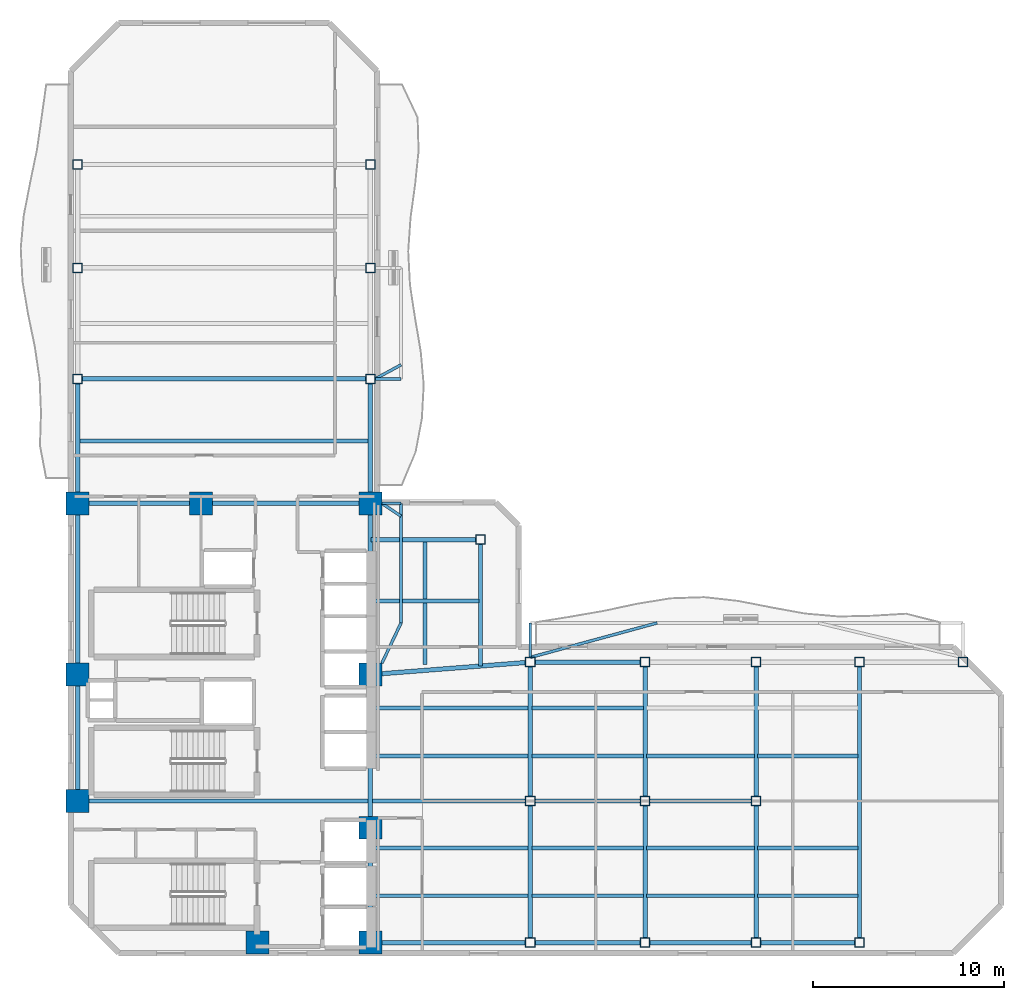
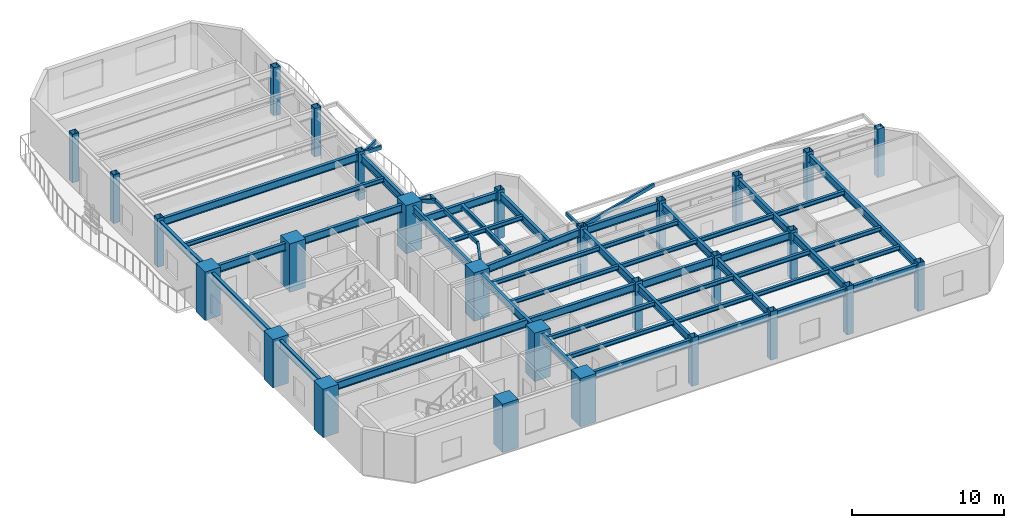
# One storey, part 1 of 9: 53 beams, 28 columns.
"""IFC4 building model written with IfcOpenShell, lengths in metres."""

import ifcopenshell
import ifcopenshell.guid

model = None  # the IFC model being written
_history = None  # IfcOwnerHistory: only IFC2X3 demands one
_inside = {}  # id of a spatial element -> (the spatial element, [elements in it])
_under = {}  # id of a project, library or spatial element -> (it, [spatial elements below it])
_declared = {}  # id of a project -> (the project, [libraries it declares])
_typed = {}  # id of a type object -> (the type object, [elements of that type])
_made_of = {}  # id of a material, layer set ... -> (it, [elements and type objects made of it])


def new_model(schema):
    """Start an empty IFC model of exactly this schema.

    Asked for "IFC4X3", IfcOpenShell would pick the latest addendum, in which some entities
    have other attributes; the version numbers below select the first issue.
    IFC2X3 requires an IfcOwnerHistory on every rooted entity: one is made here for all.
    """
    global model, _history
    if schema == "IFC4X3":
        model = ifcopenshell.file(schema_version=(4, 3, 0, 0))
    else:
        model = ifcopenshell.file(schema=schema)
    _inside.clear()
    _under.clear()
    _declared.clear()
    _typed.clear()
    _made_of.clear()
    _history = None
    if model.schema == "IFC2X3":
        org = make("IfcOrganization", Name="unknown")
        user = make(
            "IfcPersonAndOrganization",
            ThePerson=make("IfcPerson", FamilyName="unknown"),
            TheOrganization=org,
        )
        app = make(
            "IfcApplication",
            ApplicationDeveloper=org,
            Version="unknown",
            ApplicationFullName="unknown",
            ApplicationIdentifier="unknown",
        )
        _history = make(
            "IfcOwnerHistory",
            OwningUser=user,
            OwningApplication=app,
            ChangeAction="ADDED",
            CreationDate=0,
        )
    return model


def make(cls, **values):
    """One entity of the class cls with the attributes given. An attribute that is None is left unset."""
    return model.create_entity(
        cls, **{name: value for name, value in values.items() if value is not None}
    )


def rooted(cls, **values):
    """An entity with a GlobalId (a new one), such as an element, a storey or a relation."""
    return make(cls, GlobalId=ifcopenshell.guid.new(), OwnerHistory=_history, **values)


def si_unit(unit_type, name, prefix=None):
    """IfcSIUnit, for example si_unit("LENGTHUNIT", "METRE", prefix="MILLI")."""
    return make("IfcSIUnit", UnitType=unit_type, Prefix=prefix, Name=name)


def assignment(units):
    """IfcUnitAssignment: the units of a project."""
    return None if units is None else make("IfcUnitAssignment", Units=units)


def point(xyz):
    """IfcCartesianPoint."""
    return None if xyz is None else make("IfcCartesianPoint", Coordinates=xyz)


def direction(xyz):
    """IfcDirection."""
    return None if xyz is None else make("IfcDirection", DirectionRatios=xyz)


def frame(location, z_axis=None, x_axis=None):
    """IfcAxis2Placement3D, a coordinate frame: its origin and axes. An axis left out is left unset."""
    return make(
        "IfcAxis2Placement3D",
        Location=point(location),
        Axis=direction(z_axis),
        RefDirection=direction(x_axis),
    )


def frame_2d(location, x_axis=None):
    """IfcAxis2Placement2D, a coordinate frame in the plane: its origin and x axis."""
    return make(
        "IfcAxis2Placement2D", Location=point(location), RefDirection=direction(x_axis)
    )


def origin():
    """The frame at (0, 0, 0) with its axes left unset."""
    return frame((0.0, 0.0, 0.0))


def origin_2d():
    """The frame at (0, 0) in the plane with its x axis left unset."""
    return frame_2d((0.0, 0.0))


def place(relative_to, where):
    """IfcLocalPlacement: puts the frame where relative to a parent placement (None: the world)."""
    return make(
        "IfcLocalPlacement", PlacementRelTo=relative_to, RelativePlacement=where
    )


def context(
    kind, dimensions, precision=None, world=None, true_north=None, identifier=None
):
    """IfcGeometricRepresentationContext, for example the 3D "Model" context."""
    return make(
        "IfcGeometricRepresentationContext",
        ContextIdentifier=identifier,
        ContextType=kind,
        CoordinateSpaceDimension=dimensions,
        Precision=precision,
        WorldCoordinateSystem=world,
        TrueNorth=true_north,
    )


def subcontext(parent, identifier, kind, view, scale=None):
    """IfcGeometricRepresentationSubContext, for example "Body" below "Model"."""
    return make(
        "IfcGeometricRepresentationSubContext",
        ContextIdentifier=identifier,
        ContextType=kind,
        ParentContext=parent,
        TargetScale=scale,
        TargetView=view,
    )


def project(units=None, contexts=None):
    """IfcProject with its units and contexts."""
    return rooted(
        "IfcProject",
        Name="project",
        RepresentationContexts=contexts,
        UnitsInContext=assignment(units),
    )


def spatial(cls, under=None, at=None, **own):
    """A site, building, storey or space (cls), placed at a placement, below another one or the project."""
    s = rooted(cls, ObjectPlacement=at, **own)
    if under is not None:
        _under.setdefault(under.id(), (under, []))[1].append(s)
    return s


def profile(cls, at=None, kind="AREA", **sizes):
    """A parametric profile (cls). Its sizes go by their IFC names, for example OverallWidth=200.0."""
    return make(cls, ProfileType=kind, Position=at, **sizes)


def rectangle(**sizes):
    """IfcRectangleProfileDef."""
    return profile("IfcRectangleProfileDef", **sizes)


def hollow_rectangle(**sizes):
    """IfcRectangleHollowProfileDef."""
    return profile("IfcRectangleHollowProfileDef", **sizes)


def i_section(**sizes):
    """IfcIShapeProfileDef."""
    return profile("IfcIShapeProfileDef", **sizes)


def extrude(swept, where, along, depth):
    """IfcExtrudedAreaSolid: the profile swept, set in the frame where, extruded along a direction by depth."""
    return make(
        "IfcExtrudedAreaSolid",
        SweptArea=swept,
        Position=where,
        ExtrudedDirection=direction(along),
        Depth=depth,
    )


def shape(context_of_items, identifier, shape_type, items):
    """IfcShapeRepresentation: the items that make up one representation, for example the "Body"."""
    return make(
        "IfcShapeRepresentation",
        ContextOfItems=context_of_items,
        RepresentationIdentifier=identifier,
        RepresentationType=shape_type,
        Items=items,
    )


def material(Name=None, Category=None):
    """IfcMaterial."""
    return make("IfcMaterial", Name=Name, Category=Category)


def material_profile(
    of_material, cross_section, Name=None, Category=None, Priority=None
):
    """IfcMaterialProfile: a cross section and its material."""
    return make(
        "IfcMaterialProfile",
        Name=Name,
        Material=of_material,
        Profile=cross_section,
        Priority=Priority,
        Category=Category,
    )


def profile_set(profiles, Name=None, composite=None):
    """IfcMaterialProfileSet."""
    return make(
        "IfcMaterialProfileSet",
        Name=Name,
        MaterialProfiles=profiles,
        CompositeProfile=composite,
    )


def made_of(thing, what):
    """Note that an element or type object is made of a material, layer set ...; save() writes the relation."""
    if what is not None:
        _made_of.setdefault(what.id(), (what, []))[1].append(thing)
    return thing


def type_object(cls, material=None, **own):
    """A type object (cls), such as IfcWallType, which elements share."""
    return made_of(rooted(cls, **own), material)


def element(
    cls,
    number,
    at=None,
    inside=None,
    cuts=None,
    type_object=None,
    material=None,
    context=None,
    identifier="Body",
    shape_type=None,
    held_by="IfcProductDefinitionShape",
    body=None,
    shapes=None,
    **own,
):
    """One element of the class cls, such as IfcWall. Its Tag is "e" and its number.

    at: its placement. inside: the storey or other place that contains it. cuts: it is an
    opening in that element (IfcRelVoidsElement). A single representation is given by context,
    identifier, shape_type and body (its items); several are given by shapes. held_by: the class
    of the entity that holds the representations. save() writes the other relations.
    """
    e = rooted(cls, Tag="e%d" % number, ObjectPlacement=at, **own)
    if body is not None:
        shapes = [shape(context, identifier, shape_type, body)]
    if shapes is not None:
        e.Representation = make(held_by, Representations=shapes)
    if inside is not None:
        _inside.setdefault(inside.id(), (inside, []))[1].append(e)
    if cuts is not None:
        rooted(
            "IfcRelVoidsElement", RelatingBuildingElement=cuts, RelatedOpeningElement=e
        )
    if type_object is not None:
        _typed.setdefault(type_object.id(), (type_object, []))[1].append(e)
    return made_of(e, material)


def aggregate(whole, parts):
    """IfcRelAggregates: a whole, such as a stair, and the parts it consists of."""
    return rooted("IfcRelAggregates", RelatingObject=whole, RelatedObjects=parts)


def save(model, path):
    """Write the relations noted so far, then the file.

    IfcRelAggregates (storeys below a building ...), IfcRelContainedInSpatialStructure (elements
    in a storey), IfcRelDefinesByType, IfcRelAssociatesMaterial and IfcRelDeclares: one each for
    every whole, place, type object, material and project.
    """
    for whole, parts in _under.values():
        aggregate(whole, parts)
    for where, things in _inside.values():
        rooted(
            "IfcRelContainedInSpatialStructure",
            RelatedElements=things,
            RelatingStructure=where,
        )
    for kind, things in _typed.values():
        rooted("IfcRelDefinesByType", RelatedObjects=things, RelatingType=kind)
    for what, things in _made_of.values():
        rooted("IfcRelAssociatesMaterial", RelatedObjects=things, RelatingMaterial=what)
    for by, libraries in _declared.values():
        rooted("IfcRelDeclares", RelatingContext=by, RelatedDefinitions=libraries)
    model.write(path)


model = new_model("IFC4")

# Units and contexts
model_context = context("Model", 3, precision=1e-05, world=origin(), true_north=direction((0.0, 1.0)))
body_context = subcontext(model_context, "Body", "Model", "MODEL_VIEW")
ifc_project = project(units=[si_unit("LENGTHUNIT", "METRE"), si_unit("AREAUNIT", "SQUARE_METRE"), si_unit("VOLUMEUNIT", "CUBIC_METRE"), si_unit("PLANEANGLEUNIT", "RADIAN"), si_unit("MASSUNIT", "GRAM", prefix="KILO")], contexts=[model_context])

# Site, building, storey
site_placement = place(None, origin())
site = spatial("IfcSite", under=ifc_project, at=site_placement, CompositionType="ELEMENT")
building_placement = place(site_placement, origin())
building = spatial("IfcBuilding", under=site, at=building_placement, Name="Mawjaban Terraces University", CompositionType="ELEMENT")
storey_placement = place(building_placement, frame((0.0, 0.0, 154.10009765625)))
storey = spatial("IfcBuildingStorey", under=building, at=storey_placement, Name="L37", CompositionType="ELEMENT", Elevation=154.10009765625)

# Columns
ifc_material_1 = material(Name="Concrete C60/75", Category="concrete")
ifc_material_profile_1 = material_profile(ifc_material_1, rectangle(XDim=1.199951171875, YDim=1.199951171875, at=origin_2d()), Name="RC1200X1200")
ifc_profile_set_1 = profile_set([ifc_material_profile_1], Name="Concrete C60/75")
column_type_1 = type_object("IfcColumnType", Name="Col_RC1200X1200", PredefinedType="COLUMN", material=ifc_profile_set_1)
for number, where, z_axis, x_axis, name in (
    (1, (31.75, 0.550048828125, 0.0), (0.0, 0.0, 1.0), (1.0, 0.0, 0.0), "L37 Column CC2"),
    (2, (37.64990234375, 0.550048828125, 0.0), (0.0, 0.0, 1.0), (1.0, 0.0, 0.0), "L37 Column CC3"),
    (3, (22.35009765625, 7.949951171875, 0.0), (0.0, 0.0, 1.0), (1.0, 0.0, 0.0), "L37 Column CC4"),
    (4, (37.64990234375, 6.550048828125, 0.0), (0.0, 0.0, 1.0), (1.0, 0.0, 0.0), "L37 Column CC5"),
    (5, (22.35009765625, 14.550048828125, 0.0), (0.0, 0.0, 1.0), (1.0, 0.0, 0.0), "L37 Column CC6"),
    (6, (37.64990234375, 14.550048828125, 0.0), (0.0, 0.0, 1.0), (1.0, 0.0, 0.0), "L37 Column CC7"),
    (7, (22.35009765625, 23.5, 0.0), (0.0, 0.0, 1.0), (1.0, 0.0, 0.0), "L37 Column CC8"),
    (8, (28.800048828125, 23.5, 0.0), (0.0, 0.0, 1.0), (1.0, 0.0, 0.0), "L37 Column CC9"),
    (9, (37.64990234375, 23.5, 0.0), (0.0, 0.0, 1.0), (1.0, 0.0, 0.0), "L37 Column CC10"),
):
    element("IfcColumn", number, at=place(storey_placement, frame(where, z_axis=z_axis, x_axis=x_axis)), inside=storey, type_object=column_type_1, Name=name, PredefinedType="COLUMN", context=body_context, shape_type="SweptSolid", body=[
        extrude(rectangle(XDim=1.199951171875, YDim=1.199951171875, at=origin_2d()), origin(), (0.0, 0.0, 1.0), 3.89990234375),
    ])
ifc_material_2 = material(Name="Steel EN 10210-1 S355J2H", Category="steel")
ifc_material_profile_2 = material_profile(ifc_material_2, hollow_rectangle(XDim=0.5, YDim=0.5, WallThickness=0.02490234375, at=origin_2d()), Name="SHS500X500X25")
ifc_profile_set_2 = profile_set([ifc_material_profile_2], Name="Steel EN 10210-1 S355J2H")
column_type_2 = type_object("IfcColumnType", Name="Col_SHS500X500X25", PredefinedType="COLUMN", material=ifc_profile_set_2)
for number, where, z_axis, x_axis, name in (
    (10, (46.0, 0.550048828125, 0.0), (0.0, 0.0, 1.0), (1.0, 0.0, 0.0), "L37 Column TE-460-005"),
    (11, (46.0, 7.949951171875, 0.0), (0.0, 0.0, 1.0), (1.0, 0.0, 0.0), "L37 Column TE-460-080"),
    (12, (46.0, 15.199951171875, 0.0), (0.0, 0.0, 1.0), (1.0, 0.0, 0.0), "L37 Column TE-460-152"),
    (13, (52.0, 0.550048828125, 0.0), (0.0, 0.0, 1.0), (1.0, 0.0, 0.0), "L37 Column TE-520-005"),
    (14, (52.0, 7.949951171875, 0.0), (0.0, 0.0, 1.0), (1.0, 0.0, 0.0), "L37 Column TE-520-080"),
    (15, (52.0, 15.199951171875, 0.0), (0.0, 0.0, 1.0), (1.0, 0.0, 0.0), "L37 Column TE-520-152"),
    (16, (57.800048828125, 0.550048828125, 0.0), (0.0, 0.0, 1.0), (1.0, 0.0, 0.0), "L37 Column TE-578-005"),
    (17, (57.800048828125, 7.949951171875, 0.0), (0.0, 0.0, 1.0), (1.0, 0.0, 0.0), "L37 Column TE-578-080"),
    (18, (57.800048828125, 15.199951171875, 0.0), (0.0, 0.0, 1.0), (1.0, 0.0, 0.0), "L37 Column TE-578-152"),
    (19, (63.199951171875, 0.550048828125, 0.0), (0.0, 0.0, 1.0), (1.0, 0.0, 0.0), "L37 Column TE-632-005"),
    (20, (63.199951171875, 15.199951171875, 0.0), (0.0, 0.0, 1.0), (1.0, 0.0, 0.0), "L37 Column TE-632-152"),
    (21, (68.60009765625, 15.199951171875, 0.0), (0.0, 0.0, 1.0), (1.0, 0.0, 0.0), "L37 Column TE-686-152"),
    (22, (22.35009765625, 30.0, 0.0), (0.0, 0.0, 1.0), (1.0, 0.0, 0.0), "L37 Column TN-223-300"),
    (23, (37.64990234375, 30.0, 0.0), (0.0, 0.0, 1.0), (1.0, 0.0, 0.0), "L37 Column TN-376-300"),
    (24, (22.35009765625, 35.800048828125, 0.0), (0.0, 0.0, 1.0), (1.0, 0.0, 0.0), "L37 Column TN-223-358"),
    (25, (37.64990234375, 35.800048828125, 0.0), (0.0, 0.0, 1.0), (1.0, 0.0, 0.0), "L37 Column TN-376-358"),
    (26, (22.35009765625, 41.199951171875, 0.0), (0.0, 0.0, 1.0), (1.0, 0.0, 0.0), "L37 Column TN-223-412"),
    (27, (37.64990234375, 41.199951171875, 0.0), (0.0, 0.0, 1.0), (1.0, 0.0, 0.0), "L37 Column TN-376-412"),
    (28, (43.39990234375, 21.60009765625, 0.0), (0.0, 0.0, 1.0), (1.0, 0.0, 0.0), "L37 Column TS-434-216"),
):
    element("IfcColumn", number, at=place(storey_placement, frame(where, z_axis=z_axis, x_axis=x_axis)), inside=storey, type_object=column_type_2, Name=name, PredefinedType="COLUMN", context=body_context, shape_type="SweptSolid", body=[
        extrude(hollow_rectangle(XDim=0.5, YDim=0.5, WallThickness=0.02490234375, at=origin_2d()), origin(), (0.0, 0.0, 1.0), 3.89990234375),
    ])

# Beams
ifc_material_profile_3 = material_profile(ifc_material_2, hollow_rectangle(XDim=0.14990234375, YDim=0.300048828125, WallThickness=0.012451171875, at=origin_2d()), Name="RHS300X150X12.5")
ifc_profile_set_3 = profile_set([ifc_material_profile_3], Name="Steel EN 10210-1 S355J2H")
beam_type_1 = type_object("IfcBeamType", Name="BalconyCantileverSpandrel_RHS", PredefinedType="SPANDREL", material=ifc_profile_set_3)
beam_1_placement = place(storey_placement, frame((46.0, 15.449951171875, 3.539794921875), z_axis=(0.0, 1.0, 0.0), x_axis=(-1.0, 0.0, 0.0)))
element("IfcBeam", 29, at=beam_1_placement, inside=storey, type_object=beam_type_1, Name="L37 Exterior Outrigger BAL-L38-N.1", PredefinedType="SPANDREL", context=body_context, shape_type="SweptSolid", body=[
    extrude(hollow_rectangle(XDim=0.14990234375, YDim=0.300048828125, WallThickness=0.012451171875, at=origin_2d()), origin(), (0.0, 0.0, 1.0), 1.800048828125),
])
beam_2_placement = place(storey_placement, frame((46.0, 15.449951171875, 3.539794921875), z_axis=(0.965023464681, 0.262163522664, 0.0), x_axis=(-0.262163522664, 0.965023464681, 0.0)))
element("IfcBeam", 30, at=beam_2_placement, inside=storey, type_object=beam_type_1, Name="L37 Exterior Diagonal Strut BAL-L38-N.1", PredefinedType="SPANDREL", context=body_context, shape_type="SweptSolid", body=[
    extrude(hollow_rectangle(XDim=0.14990234375, YDim=0.300048828125, WallThickness=0.012451171875, at=origin_2d()), origin(), (0.0, 0.0, 1.0), 6.8662109375),
])
beam_3_placement = place(storey_placement, frame((37.89990234375, 30.0, 3.539794921875), z_axis=(1.0, 0.0, 0.0), x_axis=(0.0, 1.0, 0.0)))
element("IfcBeam", 31, at=beam_3_placement, inside=storey, type_object=beam_type_1, Name="L37 Exterior Outrigger BAL-L38-E.1", PredefinedType="SPANDREL", context=body_context, shape_type="SweptSolid", body=[
    extrude(hollow_rectangle(XDim=0.14990234375, YDim=0.300048828125, WallThickness=0.012451171875, at=origin_2d()), origin(), (0.0, 0.0, 1.0), 1.35009765625),
])
beam_4_placement = place(storey_placement, frame((37.89990234375, 30.0, 3.539794921875), z_axis=(0.878253422499, 0.478195489176, 0.0), x_axis=(-0.478195489176, 0.878253422499, 0.0)))
element("IfcBeam", 32, at=beam_4_placement, inside=storey, type_object=beam_type_1, Name="L37 Exterior Diagonal Strut BAL-L38-E.1", PredefinedType="SPANDREL", context=body_context, shape_type="SweptSolid", body=[
    extrude(hollow_rectangle(XDim=0.14990234375, YDim=0.300048828125, WallThickness=0.012451171875, at=origin_2d()), origin(), (0.0, 0.0, 1.0), 1.537353515625),
])
beam_5_placement = place(storey_placement, frame((38.25, 15.14990234375, 3.539794921875), z_axis=(0.429917283348, 0.902868279141, 0.0), x_axis=(-0.902868279141, 0.429917283348, 0.0)))
element("IfcBeam", 33, at=beam_5_placement, inside=storey, type_object=beam_type_1, Name="L37 Corner Outrigger TER-L38-CLIMB", PredefinedType="SPANDREL", context=body_context, shape_type="SweptSolid", body=[
    extrude(hollow_rectangle(XDim=0.14990234375, YDim=0.300048828125, WallThickness=0.012451171875, at=origin_2d()), origin(), (0.0, 0.0, 1.0), 2.325927734375),
])
beam_6_placement = place(storey_placement, frame((38.25, 23.5, 3.539794921875), z_axis=(1.0, 0.0, 0.0), x_axis=(0.0, 1.0, 0.0)))
element("IfcBeam", 34, at=beam_6_placement, inside=storey, type_object=beam_type_1, Name="L37 Exterior Outrigger TER-L38-CLIMB.2", PredefinedType="SPANDREL", context=body_context, shape_type="SweptSolid", body=[
    extrude(hollow_rectangle(XDim=0.14990234375, YDim=0.300048828125, WallThickness=0.012451171875, at=origin_2d()), origin(), (0.0, 0.0, 1.0), 1.0),
])
beam_7_placement = place(storey_placement, frame((39.25, 17.25, 3.539794921875), z_axis=(0.0, 1.0, 0.0), x_axis=(-1.0, 0.0, 0.0)))
element("IfcBeam", 35, at=beam_7_placement, inside=storey, type_object=beam_type_1, Name="L37 Exterior Edge Spandrel TER-L38-CLIMB", PredefinedType="SPANDREL", context=body_context, shape_type="SweptSolid", body=[
    extrude(hollow_rectangle(XDim=0.14990234375, YDim=0.300048828125, WallThickness=0.012451171875, at=origin_2d()), origin(), (0.0, 0.0, 1.0), 6.25),
])
beam_8_placement = place(storey_placement, frame((38.25, 23.5, 3.539794921875), z_axis=(0.828829906831, -0.559500657321, 0.0), x_axis=(0.559500657321, 0.828829906831, 0.0)))
element("IfcBeam", 36, at=beam_8_placement, inside=storey, type_object=beam_type_1, Name="L37 Exterior Diagonal Strut TER-L38-CLIMB.1", PredefinedType="SPANDREL", context=body_context, shape_type="SweptSolid", body=[
    extrude(hollow_rectangle(XDim=0.14990234375, YDim=0.300048828125, WallThickness=0.012451171875, at=origin_2d()), origin(), (0.0, 0.0, 1.0), 1.20654296875),
])
ifc_material_3 = material(Name="Steel ASTM A572 Grade 50", Category="steel")
ifc_material_profile_4 = material_profile(ifc_material_3, i_section(OverallWidth=0.22998046875, OverallDepth=0.616943359375, WebThickness=0.01318359375, FlangeThickness=0.022216796875, at=origin_2d()), Name="W610X140")
ifc_profile_set_4 = profile_set([ifc_material_profile_4], Name="Steel ASTM A572 Grade 50")
beam_type_2 = type_object("IfcBeamType", Name="Beam_B_W610X140", PredefinedType="BEAM", material=ifc_profile_set_4)
beam_9_placement = place(storey_placement, frame((38.25, 0.550048828125, 3.380859375), z_axis=(1.0, 0.0, 0.0), x_axis=(0.0, 1.0, 0.0)))
element("IfcBeam", 37, at=beam_9_placement, inside=storey, type_object=beam_type_2, Name="L37 Beam BM-L37-EW-01", PredefinedType="BEAM", context=body_context, shape_type="SweptSolid", body=[
    extrude(i_section(OverallWidth=0.22998046875, OverallDepth=0.616943359375, WebThickness=0.01318359375, FlangeThickness=0.022216796875, at=origin_2d()), origin(), (0.0, 0.0, 1.0), 7.5),
])
beam_10_placement = place(storey_placement, frame((46.25, 0.550048828125, 3.380859375), z_axis=(1.0, 0.0, 0.0), x_axis=(0.0, 1.0, 0.0)))
element("IfcBeam", 38, at=beam_10_placement, inside=storey, type_object=beam_type_2, Name="L37 Beam BM-L37-EW-02", PredefinedType="BEAM", context=body_context, shape_type="SweptSolid", body=[
    extrude(i_section(OverallWidth=0.22998046875, OverallDepth=0.616943359375, WebThickness=0.01318359375, FlangeThickness=0.022216796875, at=origin_2d()), origin(), (0.0, 0.0, 1.0), 5.5),
])
beam_11_placement = place(storey_placement, frame((52.25, 0.550048828125, 3.380859375), z_axis=(1.0, 0.0, 0.0), x_axis=(0.0, 1.0, 0.0)))
element("IfcBeam", 39, at=beam_11_placement, inside=storey, type_object=beam_type_2, Name="L37 Beam BM-L37-EW-03", PredefinedType="BEAM", context=body_context, shape_type="SweptSolid", body=[
    extrude(i_section(OverallWidth=0.22998046875, OverallDepth=0.616943359375, WebThickness=0.01318359375, FlangeThickness=0.022216796875, at=origin_2d()), origin(), (0.0, 0.0, 1.0), 5.300048828125),
])
beam_12_placement = place(storey_placement, frame((58.050048828125, 0.550048828125, 3.380859375), z_axis=(1.0, 0.0, 0.0), x_axis=(0.0, 1.0, 0.0)))
element("IfcBeam", 40, at=beam_12_placement, inside=storey, type_object=beam_type_2, Name="L37 Beam BM-L37-EW-04", PredefinedType="BEAM", context=body_context, shape_type="SweptSolid", body=[
    extrude(i_section(OverallWidth=0.22998046875, OverallDepth=0.616943359375, WebThickness=0.01318359375, FlangeThickness=0.022216796875, at=origin_2d()), origin(), (0.0, 0.0, 1.0), 4.89990234375),
])
beam_13_placement = place(storey_placement, frame((22.949951171875, 7.949951171875, 3.380859375), z_axis=(1.0, 0.0, 0.0), x_axis=(0.0, 1.0, 0.0)))
element("IfcBeam", 41, at=beam_13_placement, inside=storey, type_object=beam_type_2, Name="L37 Beam BM-L37-EW-05", PredefinedType="BEAM", context=body_context, shape_type="SweptSolid", body=[
    extrude(i_section(OverallWidth=0.22998046875, OverallDepth=0.616943359375, WebThickness=0.01318359375, FlangeThickness=0.022216796875, at=origin_2d()), origin(), (0.0, 0.0, 1.0), 22.800048828125),
])
beam_14_placement = place(storey_placement, frame((46.25, 7.949951171875, 3.380859375), z_axis=(1.0, 0.0, 0.0), x_axis=(0.0, 1.0, 0.0)))
element("IfcBeam", 42, at=beam_14_placement, inside=storey, type_object=beam_type_2, Name="L37 Beam BM-L37-EW-06", PredefinedType="BEAM", context=body_context, shape_type="SweptSolid", body=[
    extrude(i_section(OverallWidth=0.22998046875, OverallDepth=0.616943359375, WebThickness=0.01318359375, FlangeThickness=0.022216796875, at=origin_2d()), origin(), (0.0, 0.0, 1.0), 5.5),
])
beam_15_placement = place(storey_placement, frame((52.25, 7.949951171875, 3.380859375), z_axis=(1.0, 0.0, 0.0), x_axis=(0.0, 1.0, 0.0)))
element("IfcBeam", 43, at=beam_15_placement, inside=storey, type_object=beam_type_2, Name="L37 Beam BM-L37-EW-07", PredefinedType="BEAM", context=body_context, shape_type="SweptSolid", body=[
    extrude(i_section(OverallWidth=0.22998046875, OverallDepth=0.616943359375, WebThickness=0.01318359375, FlangeThickness=0.022216796875, at=origin_2d()), origin(), (0.0, 0.0, 1.0), 5.300048828125),
])
beam_16_placement = place(storey_placement, frame((46.25, 15.199951171875, 3.380859375), z_axis=(1.0, 0.0, 0.0), x_axis=(0.0, 1.0, 0.0)))
element("IfcBeam", 44, at=beam_16_placement, inside=storey, type_object=beam_type_2, Name="L37 Beam BM-L37-EW-08", PredefinedType="BEAM", context=body_context, shape_type="SweptSolid", body=[
    extrude(i_section(OverallWidth=0.22998046875, OverallDepth=0.616943359375, WebThickness=0.01318359375, FlangeThickness=0.022216796875, at=origin_2d()), origin(), (0.0, 0.0, 1.0), 5.5),
])
beam_17_placement = place(storey_placement, frame((22.949951171875, 23.5, 3.380859375), z_axis=(1.0, 0.0, 0.0), x_axis=(0.0, 1.0, 0.0)))
element("IfcBeam", 45, at=beam_17_placement, inside=storey, type_object=beam_type_2, Name="L37 Beam BM-L37-EW-12", PredefinedType="BEAM", context=body_context, shape_type="SweptSolid", body=[
    extrude(i_section(OverallWidth=0.22998046875, OverallDepth=0.616943359375, WebThickness=0.01318359375, FlangeThickness=0.022216796875, at=origin_2d()), origin(), (0.0, 0.0, 1.0), 5.25),
])
beam_18_placement = place(storey_placement, frame((29.39990234375, 23.5, 3.380859375), z_axis=(1.0, 0.0, 0.0), x_axis=(0.0, 1.0, 0.0)))
element("IfcBeam", 46, at=beam_18_placement, inside=storey, type_object=beam_type_2, Name="L37 Beam BM-L37-EW-13", PredefinedType="BEAM", context=body_context, shape_type="SweptSolid", body=[
    extrude(i_section(OverallWidth=0.22998046875, OverallDepth=0.616943359375, WebThickness=0.01318359375, FlangeThickness=0.022216796875, at=origin_2d()), origin(), (0.0, 0.0, 1.0), 7.650146484375),
])
beam_19_placement = place(storey_placement, frame((22.60009765625, 30.0, 3.380859375), z_axis=(1.0, 0.0, 0.0), x_axis=(0.0, 1.0, 0.0)))
element("IfcBeam", 47, at=beam_19_placement, inside=storey, type_object=beam_type_2, Name="L37 Beam BM-L37-EW-14", PredefinedType="BEAM", context=body_context, shape_type="SweptSolid", body=[
    extrude(i_section(OverallWidth=0.22998046875, OverallDepth=0.616943359375, WebThickness=0.01318359375, FlangeThickness=0.022216796875, at=origin_2d()), origin(), (0.0, 0.0, 1.0), 14.7998046875),
])
beam_20_placement = place(storey_placement, frame((22.35009765625, 8.550048828125, 3.380859375), z_axis=(0.0, 1.0, 0.0), x_axis=(-1.0, 0.0, 0.0)))
element("IfcBeam", 48, at=beam_20_placement, inside=storey, type_object=beam_type_2, Name="L37 Beam BM-L37-NS-01", PredefinedType="BEAM", context=body_context, shape_type="SweptSolid", body=[
    extrude(i_section(OverallWidth=0.22998046875, OverallDepth=0.616943359375, WebThickness=0.01318359375, FlangeThickness=0.022216796875, at=origin_2d()), origin(), (0.0, 0.0, 1.0), 5.39990234375),
])
beam_21_placement = place(storey_placement, frame((22.35009765625, 15.14990234375, 3.380859375), z_axis=(0.0, 1.0, 0.0), x_axis=(-1.0, 0.0, 0.0)))
element("IfcBeam", 49, at=beam_21_placement, inside=storey, type_object=beam_type_2, Name="L37 Beam BM-L37-NS-02", PredefinedType="BEAM", context=body_context, shape_type="SweptSolid", body=[
    extrude(i_section(OverallWidth=0.22998046875, OverallDepth=0.616943359375, WebThickness=0.01318359375, FlangeThickness=0.022216796875, at=origin_2d()), origin(), (0.0, 0.0, 1.0), 7.75),
])
beam_22_placement = place(storey_placement, frame((22.35009765625, 24.10009765625, 3.380859375), z_axis=(0.0, 1.0, 0.0), x_axis=(-1.0, 0.0, 0.0)))
element("IfcBeam", 50, at=beam_22_placement, inside=storey, type_object=beam_type_2, Name="L37 Beam BM-L37-NS-03", PredefinedType="BEAM", context=body_context, shape_type="SweptSolid", body=[
    extrude(i_section(OverallWidth=0.22998046875, OverallDepth=0.616943359375, WebThickness=0.01318359375, FlangeThickness=0.022216796875, at=origin_2d()), origin(), (0.0, 0.0, 1.0), 5.64990234375),
])
beam_23_placement = place(storey_placement, frame((37.64990234375, 1.14990234375, 3.380859375), z_axis=(0.0, 1.0, 0.0), x_axis=(-1.0, 0.0, 0.0)))
element("IfcBeam", 51, at=beam_23_placement, inside=storey, type_object=beam_type_2, Name="L37 Beam BM-L37-NS-06", PredefinedType="BEAM", context=body_context, shape_type="SweptSolid", body=[
    extrude(i_section(OverallWidth=0.22998046875, OverallDepth=0.616943359375, WebThickness=0.01318359375, FlangeThickness=0.022216796875, at=origin_2d()), origin(), (0.0, 0.0, 1.0), 4.800048828125),
])
beam_24_placement = place(storey_placement, frame((37.64990234375, 7.14990234375, 3.380859375), z_axis=(0.0, 1.0, 0.0), x_axis=(-1.0, 0.0, 0.0)))
element("IfcBeam", 52, at=beam_24_placement, inside=storey, type_object=beam_type_2, Name="L37 Beam BM-L37-NS-07", PredefinedType="BEAM", context=body_context, shape_type="SweptSolid", body=[
    extrude(i_section(OverallWidth=0.22998046875, OverallDepth=0.616943359375, WebThickness=0.01318359375, FlangeThickness=0.022216796875, at=origin_2d()), origin(), (0.0, 0.0, 1.0), 6.800048828125),
])
beam_25_placement = place(storey_placement, frame((37.64990234375, 15.14990234375, 3.380859375), z_axis=(0.0, 1.0, 0.0), x_axis=(-1.0, 0.0, 0.0)))
element("IfcBeam", 53, at=beam_25_placement, inside=storey, type_object=beam_type_2, Name="L37 Beam BM-L37-NS-08", PredefinedType="BEAM", context=body_context, shape_type="SweptSolid", body=[
    extrude(i_section(OverallWidth=0.22998046875, OverallDepth=0.616943359375, WebThickness=0.01318359375, FlangeThickness=0.022216796875, at=origin_2d()), origin(), (0.0, 0.0, 1.0), 7.75),
])
beam_26_placement = place(storey_placement, frame((37.64990234375, 24.10009765625, 3.380859375), z_axis=(0.0, 1.0, 0.0), x_axis=(-1.0, 0.0, 0.0)))
element("IfcBeam", 54, at=beam_26_placement, inside=storey, type_object=beam_type_2, Name="L37 Beam BM-L37-NS-09", PredefinedType="BEAM", context=body_context, shape_type="SweptSolid", body=[
    extrude(i_section(OverallWidth=0.22998046875, OverallDepth=0.616943359375, WebThickness=0.01318359375, FlangeThickness=0.022216796875, at=origin_2d()), origin(), (0.0, 0.0, 1.0), 5.64990234375),
])
beam_27_placement = place(storey_placement, frame((46.0, 0.800048828125, 3.380859375), z_axis=(0.0, 1.0, 0.0), x_axis=(-1.0, 0.0, 0.0)))
element("IfcBeam", 55, at=beam_27_placement, inside=storey, type_object=beam_type_2, Name="L37 Beam BM-L37-NS-12", PredefinedType="BEAM", context=body_context, shape_type="SweptSolid", body=[
    extrude(i_section(OverallWidth=0.22998046875, OverallDepth=0.616943359375, WebThickness=0.01318359375, FlangeThickness=0.022216796875, at=origin_2d()), origin(), (0.0, 0.0, 1.0), 6.89990234375),
])
beam_28_placement = place(storey_placement, frame((46.0, 8.199951171875, 3.380859375), z_axis=(0.0, 1.0, 0.0), x_axis=(-1.0, 0.0, 0.0)))
element("IfcBeam", 56, at=beam_28_placement, inside=storey, type_object=beam_type_2, Name="L37 Beam BM-L37-NS-13", PredefinedType="BEAM", context=body_context, shape_type="SweptSolid", body=[
    extrude(i_section(OverallWidth=0.22998046875, OverallDepth=0.616943359375, WebThickness=0.01318359375, FlangeThickness=0.022216796875, at=origin_2d()), origin(), (0.0, 0.0, 1.0), 6.75),
])
beam_29_placement = place(storey_placement, frame((52.0, 0.800048828125, 3.380859375), z_axis=(0.0, 1.0, 0.0), x_axis=(-1.0, 0.0, 0.0)))
element("IfcBeam", 57, at=beam_29_placement, inside=storey, type_object=beam_type_2, Name="L37 Beam BM-L37-NS-14", PredefinedType="BEAM", context=body_context, shape_type="SweptSolid", body=[
    extrude(i_section(OverallWidth=0.22998046875, OverallDepth=0.616943359375, WebThickness=0.01318359375, FlangeThickness=0.022216796875, at=origin_2d()), origin(), (0.0, 0.0, 1.0), 6.89990234375),
])
beam_30_placement = place(storey_placement, frame((52.0, 8.199951171875, 3.380859375), z_axis=(0.0, 1.0, 0.0), x_axis=(-1.0, 0.0, 0.0)))
element("IfcBeam", 58, at=beam_30_placement, inside=storey, type_object=beam_type_2, Name="L37 Beam BM-L37-NS-15", PredefinedType="BEAM", context=body_context, shape_type="SweptSolid", body=[
    extrude(i_section(OverallWidth=0.22998046875, OverallDepth=0.616943359375, WebThickness=0.01318359375, FlangeThickness=0.022216796875, at=origin_2d()), origin(), (0.0, 0.0, 1.0), 6.75),
])
beam_31_placement = place(storey_placement, frame((57.800048828125, 0.800048828125, 3.380859375), z_axis=(0.0, 1.0, 0.0), x_axis=(-1.0, 0.0, 0.0)))
element("IfcBeam", 59, at=beam_31_placement, inside=storey, type_object=beam_type_2, Name="L37 Beam BM-L37-NS-16", PredefinedType="BEAM", context=body_context, shape_type="SweptSolid", body=[
    extrude(i_section(OverallWidth=0.22998046875, OverallDepth=0.616943359375, WebThickness=0.01318359375, FlangeThickness=0.022216796875, at=origin_2d()), origin(), (0.0, 0.0, 1.0), 6.89990234375),
])
beam_32_placement = place(storey_placement, frame((57.800048828125, 8.199951171875, 3.380859375), z_axis=(0.0, 1.0, 0.0), x_axis=(-1.0, 0.0, 0.0)))
element("IfcBeam", 60, at=beam_32_placement, inside=storey, type_object=beam_type_2, Name="L37 Beam BM-L37-NS-17", PredefinedType="BEAM", context=body_context, shape_type="SweptSolid", body=[
    extrude(i_section(OverallWidth=0.22998046875, OverallDepth=0.616943359375, WebThickness=0.01318359375, FlangeThickness=0.022216796875, at=origin_2d()), origin(), (0.0, 0.0, 1.0), 6.75),
])
beam_33_placement = place(storey_placement, frame((63.199951171875, 0.800048828125, 3.380859375), z_axis=(0.0, 1.0, 0.0), x_axis=(-1.0, 0.0, 0.0)))
element("IfcBeam", 61, at=beam_33_placement, inside=storey, type_object=beam_type_2, Name="L37 Beam BM-L37-NS-18", PredefinedType="BEAM", context=body_context, shape_type="SweptSolid", body=[
    extrude(i_section(OverallWidth=0.22998046875, OverallDepth=0.616943359375, WebThickness=0.01318359375, FlangeThickness=0.022216796875, at=origin_2d()), origin(), (0.0, 0.0, 1.0), 14.14990234375),
])
beam_34_placement = place(storey_placement, frame((38.248046875, 14.596923828125, 3.380859375), z_axis=(0.996984614132, 0.077599479273, 0.0), x_axis=(-0.077599479273, 0.996984614132, 0.0)))
element("IfcBeam", 62, at=beam_34_placement, inside=storey, type_object=beam_type_2, Name="L37 Beam BM-L37-CTIE", PredefinedType="BEAM", context=body_context, shape_type="SweptSolid", body=[
    extrude(i_section(OverallWidth=0.22998046875, OverallDepth=0.616943359375, WebThickness=0.01318359375, FlangeThickness=0.022216796875, at=origin_2d()), origin(), (0.0, 0.0, 1.0), 7.525634765625),
])
beam_35_placement = place(storey_placement, frame((37.679931640625, 21.60009765625, 3.380859375), z_axis=(1.0, 0.0, 0.0), x_axis=(0.0, 1.0, 0.0)))
element("IfcBeam", 63, at=beam_35_placement, inside=storey, type_object=beam_type_2, Name="L37 Spur Tie Girder West", PredefinedType="BEAM", context=body_context, shape_type="SweptSolid", body=[
    extrude(i_section(OverallWidth=0.22998046875, OverallDepth=0.616943359375, WebThickness=0.01318359375, FlangeThickness=0.022216796875, at=origin_2d()), origin(), (0.0, 0.0, 1.0), 5.469970703125),
])
beam_36_placement = place(storey_placement, frame((43.39990234375, 15.0, 3.380859375), z_axis=(0.0, 1.0, 0.0), x_axis=(-1.0, 0.0, 0.0)))
element("IfcBeam", 64, at=beam_36_placement, inside=storey, type_object=beam_type_2, Name="L37 Spur Tie Girder South", PredefinedType="BEAM", context=body_context, shape_type="SweptSolid", body=[
    extrude(i_section(OverallWidth=0.22998046875, OverallDepth=0.616943359375, WebThickness=0.01318359375, FlangeThickness=0.022216796875, at=origin_2d()), origin(), (0.0, 0.0, 1.0), 6.35009765625),
])
ifc_material_profile_5 = material_profile(ifc_material_3, i_section(OverallWidth=0.202880859375, OverallDepth=0.346923828125, WebThickness=0.0078125, FlangeThickness=0.013427734375, at=origin_2d()), Name="W360X64")
ifc_profile_set_5 = profile_set([ifc_material_profile_5], Name="Steel ASTM A572 Grade 50")
beam_type_3 = type_object("IfcBeamType", Name="Beam_J_W360X64", PredefinedType="JOIST", material=ifc_profile_set_5)
beam_37_placement = place(storey_placement, frame((37.72998046875, 3.0, 3.516845703125), z_axis=(1.0, 0.0, 0.0), x_axis=(0.0, 1.0, 0.0)))
element("IfcBeam", 65, at=beam_37_placement, inside=storey, type_object=beam_type_3, Name="L37 Composite Joist JST-L37-01", PredefinedType="JOIST", context=body_context, shape_type="SweptSolid", body=[
    extrude(i_section(OverallWidth=0.202880859375, OverallDepth=0.346923828125, WebThickness=0.0078125, FlangeThickness=0.013427734375, at=origin_2d()), origin(), (0.0, 0.0, 1.0), 8.18994140625),
])
beam_38_placement = place(storey_placement, frame((46.080078125, 3.0, 3.516845703125), z_axis=(1.0, 0.0, 0.0), x_axis=(0.0, 1.0, 0.0)))
element("IfcBeam", 66, at=beam_38_placement, inside=storey, type_object=beam_type_3, Name="L37 Composite Joist JST-L37-02", PredefinedType="JOIST", context=body_context, shape_type="SweptSolid", body=[
    extrude(i_section(OverallWidth=0.202880859375, OverallDepth=0.346923828125, WebThickness=0.0078125, FlangeThickness=0.013427734375, at=origin_2d()), origin(), (0.0, 0.0, 1.0), 5.83984375),
])
beam_39_placement = place(storey_placement, frame((52.080078125, 3.0, 3.516845703125), z_axis=(1.0, 0.0, 0.0), x_axis=(0.0, 1.0, 0.0)))
element("IfcBeam", 67, at=beam_39_placement, inside=storey, type_object=beam_type_3, Name="L37 Composite Joist JST-L37-03", PredefinedType="JOIST", context=body_context, shape_type="SweptSolid", body=[
    extrude(i_section(OverallWidth=0.202880859375, OverallDepth=0.346923828125, WebThickness=0.0078125, FlangeThickness=0.013427734375, at=origin_2d()), origin(), (0.0, 0.0, 1.0), 5.639892578125),
])
beam_40_placement = place(storey_placement, frame((57.8798828125, 3.0, 3.516845703125), z_axis=(1.0, 0.0, 0.0), x_axis=(0.0, 1.0, 0.0)))
element("IfcBeam", 68, at=beam_40_placement, inside=storey, type_object=beam_type_3, Name="L37 Composite Joist JST-L37-04", PredefinedType="JOIST", context=body_context, shape_type="SweptSolid", body=[
    extrude(i_section(OverallWidth=0.202880859375, OverallDepth=0.346923828125, WebThickness=0.0078125, FlangeThickness=0.013427734375, at=origin_2d()), origin(), (0.0, 0.0, 1.0), 5.240234375),
])
beam_41_placement = place(storey_placement, frame((37.72998046875, 5.5, 3.516845703125), z_axis=(1.0, 0.0, 0.0), x_axis=(0.0, 1.0, 0.0)))
element("IfcBeam", 69, at=beam_41_placement, inside=storey, type_object=beam_type_3, Name="L37 Composite Joist JST-L37-05", PredefinedType="JOIST", context=body_context, shape_type="SweptSolid", body=[
    extrude(i_section(OverallWidth=0.202880859375, OverallDepth=0.346923828125, WebThickness=0.0078125, FlangeThickness=0.013427734375, at=origin_2d()), origin(), (0.0, 0.0, 1.0), 8.18994140625),
])
beam_42_placement = place(storey_placement, frame((46.080078125, 5.5, 3.516845703125), z_axis=(1.0, 0.0, 0.0), x_axis=(0.0, 1.0, 0.0)))
element("IfcBeam", 70, at=beam_42_placement, inside=storey, type_object=beam_type_3, Name="L37 Composite Joist JST-L37-06", PredefinedType="JOIST", context=body_context, shape_type="SweptSolid", body=[
    extrude(i_section(OverallWidth=0.202880859375, OverallDepth=0.346923828125, WebThickness=0.0078125, FlangeThickness=0.013427734375, at=origin_2d()), origin(), (0.0, 0.0, 1.0), 5.83984375),
])
beam_43_placement = place(storey_placement, frame((52.080078125, 5.5, 3.516845703125), z_axis=(1.0, 0.0, 0.0), x_axis=(0.0, 1.0, 0.0)))
element("IfcBeam", 71, at=beam_43_placement, inside=storey, type_object=beam_type_3, Name="L37 Composite Joist JST-L37-07", PredefinedType="JOIST", context=body_context, shape_type="SweptSolid", body=[
    extrude(i_section(OverallWidth=0.202880859375, OverallDepth=0.346923828125, WebThickness=0.0078125, FlangeThickness=0.013427734375, at=origin_2d()), origin(), (0.0, 0.0, 1.0), 5.639892578125),
])
beam_44_placement = place(storey_placement, frame((57.8798828125, 5.5, 3.516845703125), z_axis=(1.0, 0.0, 0.0), x_axis=(0.0, 1.0, 0.0)))
element("IfcBeam", 72, at=beam_44_placement, inside=storey, type_object=beam_type_3, Name="L37 Composite Joist JST-L37-08", PredefinedType="JOIST", context=body_context, shape_type="SweptSolid", body=[
    extrude(i_section(OverallWidth=0.202880859375, OverallDepth=0.346923828125, WebThickness=0.0078125, FlangeThickness=0.013427734375, at=origin_2d()), origin(), (0.0, 0.0, 1.0), 5.240234375),
])
beam_45_placement = place(storey_placement, frame((37.72998046875, 10.300048828125, 3.516845703125), z_axis=(1.0, 0.0, 0.0), x_axis=(0.0, 1.0, 0.0)))
element("IfcBeam", 73, at=beam_45_placement, inside=storey, type_object=beam_type_3, Name="L37 Composite Joist JST-L37-09", PredefinedType="JOIST", context=body_context, shape_type="SweptSolid", body=[
    extrude(i_section(OverallWidth=0.202880859375, OverallDepth=0.346923828125, WebThickness=0.0078125, FlangeThickness=0.013427734375, at=origin_2d()), origin(), (0.0, 0.0, 1.0), 8.18994140625),
])
beam_46_placement = place(storey_placement, frame((46.080078125, 10.300048828125, 3.516845703125), z_axis=(1.0, 0.0, 0.0), x_axis=(0.0, 1.0, 0.0)))
element("IfcBeam", 74, at=beam_46_placement, inside=storey, type_object=beam_type_3, Name="L37 Composite Joist JST-L37-10", PredefinedType="JOIST", context=body_context, shape_type="SweptSolid", body=[
    extrude(i_section(OverallWidth=0.202880859375, OverallDepth=0.346923828125, WebThickness=0.0078125, FlangeThickness=0.013427734375, at=origin_2d()), origin(), (0.0, 0.0, 1.0), 5.83984375),
])
beam_47_placement = place(storey_placement, frame((52.080078125, 10.300048828125, 3.516845703125), z_axis=(1.0, 0.0, 0.0), x_axis=(0.0, 1.0, 0.0)))
element("IfcBeam", 75, at=beam_47_placement, inside=storey, type_object=beam_type_3, Name="L37 Composite Joist JST-L37-11", PredefinedType="JOIST", context=body_context, shape_type="SweptSolid", body=[
    extrude(i_section(OverallWidth=0.202880859375, OverallDepth=0.346923828125, WebThickness=0.0078125, FlangeThickness=0.013427734375, at=origin_2d()), origin(), (0.0, 0.0, 1.0), 5.639892578125),
])
beam_48_placement = place(storey_placement, frame((57.8798828125, 10.300048828125, 3.516845703125), z_axis=(1.0, 0.0, 0.0), x_axis=(0.0, 1.0, 0.0)))
element("IfcBeam", 76, at=beam_48_placement, inside=storey, type_object=beam_type_3, Name="L37 Composite Joist JST-L37-12", PredefinedType="JOIST", context=body_context, shape_type="SweptSolid", body=[
    extrude(i_section(OverallWidth=0.202880859375, OverallDepth=0.346923828125, WebThickness=0.0078125, FlangeThickness=0.013427734375, at=origin_2d()), origin(), (0.0, 0.0, 1.0), 5.240234375),
])
beam_49_placement = place(storey_placement, frame((37.72998046875, 12.800048828125, 3.516845703125), z_axis=(1.0, 0.0, 0.0), x_axis=(0.0, 1.0, 0.0)))
element("IfcBeam", 77, at=beam_49_placement, inside=storey, type_object=beam_type_3, Name="L37 Composite Joist JST-L37-13", PredefinedType="JOIST", context=body_context, shape_type="SweptSolid", body=[
    extrude(i_section(OverallWidth=0.202880859375, OverallDepth=0.346923828125, WebThickness=0.0078125, FlangeThickness=0.013427734375, at=origin_2d()), origin(), (0.0, 0.0, 1.0), 8.18994140625),
])
beam_50_placement = place(storey_placement, frame((46.080078125, 12.800048828125, 3.516845703125), z_axis=(1.0, 0.0, 0.0), x_axis=(0.0, 1.0, 0.0)))
element("IfcBeam", 78, at=beam_50_placement, inside=storey, type_object=beam_type_3, Name="L37 Composite Joist JST-L37-14", PredefinedType="JOIST", context=body_context, shape_type="SweptSolid", body=[
    extrude(i_section(OverallWidth=0.202880859375, OverallDepth=0.346923828125, WebThickness=0.0078125, FlangeThickness=0.013427734375, at=origin_2d()), origin(), (0.0, 0.0, 1.0), 5.83984375),
])
beam_51_placement = place(storey_placement, frame((37.72998046875, 18.39990234375, 3.516845703125), z_axis=(1.0, 0.0, 0.0), x_axis=(0.0, 1.0, 0.0)))
element("IfcBeam", 79, at=beam_51_placement, inside=storey, type_object=beam_type_3, Name="L37 Composite Joist JST-L37-17", PredefinedType="JOIST", context=body_context, shape_type="SweptSolid", body=[
    extrude(i_section(OverallWidth=0.202880859375, OverallDepth=0.346923828125, WebThickness=0.0078125, FlangeThickness=0.013427734375, at=origin_2d()), origin(), (0.0, 0.0, 1.0), 5.590087890625),
])
beam_52_placement = place(storey_placement, frame((22.429931640625, 26.75, 3.516845703125), z_axis=(1.0, 0.0, 0.0), x_axis=(0.0, 1.0, 0.0)))
element("IfcBeam", 80, at=beam_52_placement, inside=storey, type_object=beam_type_3, Name="L37 Composite Joist JST-L37-18", PredefinedType="JOIST", context=body_context, shape_type="SweptSolid", body=[
    extrude(i_section(OverallWidth=0.202880859375, OverallDepth=0.346923828125, WebThickness=0.0078125, FlangeThickness=0.013427734375, at=origin_2d()), origin(), (0.0, 0.0, 1.0), 15.14013671875),
])
beam_53_placement = place(storey_placement, frame((40.5, 15.080078125, 3.516845703125), z_axis=(0.0, 1.0, 0.0), x_axis=(-1.0, 0.0, 0.0)))
element("IfcBeam", 81, at=beam_53_placement, inside=storey, type_object=beam_type_3, Name="L37 Composite Joist JST-L37-NS-21", PredefinedType="JOIST", context=body_context, shape_type="SweptSolid", body=[
    extrude(i_section(OverallWidth=0.202880859375, OverallDepth=0.346923828125, WebThickness=0.0078125, FlangeThickness=0.013427734375, at=origin_2d()), origin(), (0.0, 0.0, 1.0), 6.43994140625),
])

save(model, "model.ifc")
